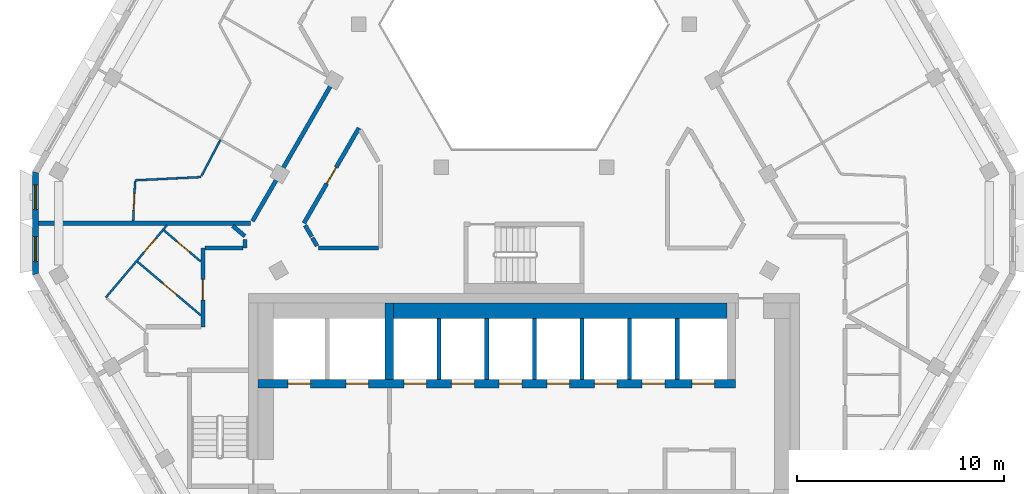
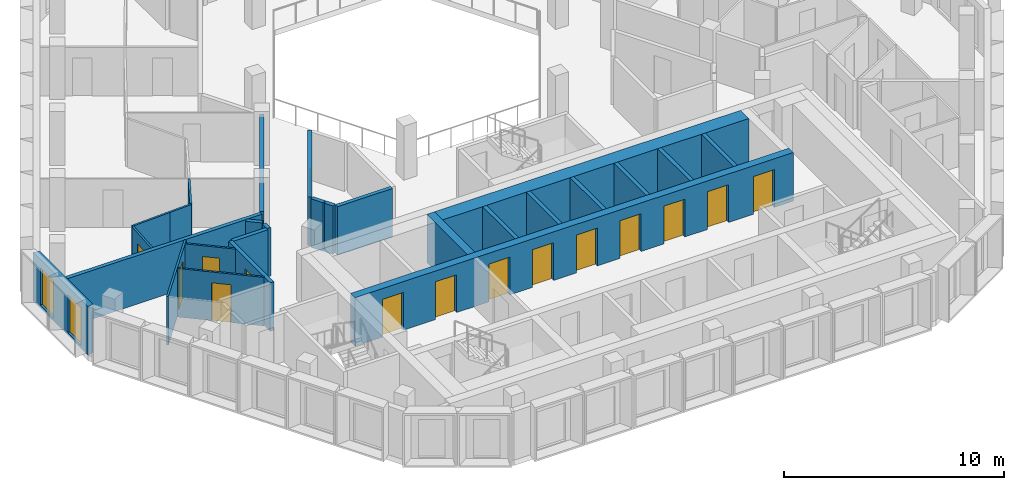
# One storey, part 4 of 16: 27 walls, 15 doors, 2 windows, 17 openings.
"""IFC4 building model written with IfcOpenShell, lengths in metres."""

from ifc_helpers import new_model, si_unit, direction, frame, frame_2d, origin, place, context, subcontext, project, spatial, polyline, rectangle, outline, extrude, material, layer, layer_set, type_object, element, fill, save


model = new_model("IFC4")

# Units and contexts
model_context = context("Model", 3, precision=1e-05, world=origin(), true_north=direction((0.0, 1.0)))
body_context = subcontext(model_context, "Body", "Model", "MODEL_VIEW")
ifc_project = project(units=[si_unit("LENGTHUNIT", "METRE"), si_unit("AREAUNIT", "SQUARE_METRE"), si_unit("VOLUMEUNIT", "CUBIC_METRE"), si_unit("PLANEANGLEUNIT", "RADIAN"), si_unit("MASSUNIT", "GRAM", prefix="KILO")], contexts=[model_context])

# Site, building, storey
site_placement = place(None, origin())
site = spatial("IfcSite", under=ifc_project, at=site_placement, CompositionType="ELEMENT")
building_placement = place(site_placement, origin())
building = spatial("IfcBuilding", under=site, at=building_placement, Name="Beryl Residences", CompositionType="ELEMENT")
storey_placement = place(building_placement, frame((0.0, 0.0, 220.800048828125)))
storey = spatial("IfcBuildingStorey", under=building, at=storey_placement, Name="L68", CompositionType="ELEMENT", Elevation=220.800048828125)

# Wall, openings, windows
ifc_material_1 = material(Name="Composite metal panel with mineral wool insulation")
ifc_layer_1 = layer(ifc_material_1, 0.300048828125)
ifc_layer_set_1 = layer_set([ifc_layer_1], Name="ES1 pale metal composite panel wall 300 mm")
wall_type_1 = type_object("IfcWallType", Name="ES1 pale metal composite panel wall 300 mm", PredefinedType="SOLIDWALL", material=ifc_layer_set_1)
wall_1_placement = place(storey_placement, frame((-23.5791015625, 0.89990234375, 0.0), z_axis=(0.0, 0.0, 1.0), x_axis=(0.0, -1.0, 0.0)))
wall_1 = element("IfcWall", 1, at=wall_1_placement, inside=storey, type_object=wall_type_1, Name="ES1 external wall L68 NW-SW", PredefinedType="SOLIDWALL", context=body_context, shape_type="SweptSolid", body=[
    extrude(outline(polyline([(0.0, -0.14990234375), (5.0, -0.14990234375), (4.919677734375, 0.14990234375), (0.080322265625, 0.14990234375), (0.0, -0.14990234375)])), origin(), (0.0, 0.0, 1.0), 2.699951171875),
])
opening_1_placement = place(wall_1_placement, frame((0.64990234375, 0.0, 0.14990234375)))
opening_1 = element("IfcOpeningElement", 2, at=opening_1_placement, cuts=wall_1, Name="Opening W2", PredefinedType="OPENING", context=body_context, shape_type="SweptSolid", body=[
    extrude(rectangle(XDim=1.199951171875, YDim=2.10009765625, at=frame_2d((0.60009765625, 1.050048828125))), frame((0.0, 0.159912109375, 0.0), z_axis=(0.0, -1.0, 0.0), x_axis=(1.0, 0.0, 0.0)), (0.0, 0.0, 1.0), 0.320068359375),
])
opening_2_placement = place(wall_1_placement, frame((3.14990234375, 0.0, 0.14990234375)))
opening_2 = element("IfcOpeningElement", 3, at=opening_2_placement, cuts=wall_1, Name="Opening W2", PredefinedType="OPENING", context=body_context, shape_type="SweptSolid", body=[
    extrude(rectangle(XDim=1.199951171875, YDim=2.10009765625, at=frame_2d((0.60009765625, 1.050048828125))), frame((0.0, 0.159912109375, 0.0), z_axis=(0.0, -1.0, 0.0), x_axis=(1.0, 0.0, 0.0)), (0.0, 0.0, 1.0), 0.320068359375),
])
ifc_material_2 = material(Name="Aluminium and clear glass", Category="aluminium")
window_type = type_object("IfcWindowType", Name="W2 chamfer window 1200 x 2100 mm", PartitioningType="SINGLE_PANEL", PredefinedType="WINDOW", material=ifc_material_2)
window_1_placement = place(opening_1_placement, origin())
window_1 = element("IfcWindow", 4, at=window_1_placement, inside=storey, type_object=window_type, Name="W2 window L68 NW-SW 1", OverallHeight=2.10009765625, OverallWidth=1.199951171875, PartitioningType="SINGLE_PANEL", PredefinedType="WINDOW", context=body_context, shape_type="SweptSolid", body=[
    extrude(rectangle(XDim=1.199951171875, YDim=2.10009765625, at=frame_2d((0.60009765625, 1.050048828125))), frame((0.0, 0.030029296875, 0.0), z_axis=(0.0, -1.0, 0.0), x_axis=(1.0, 0.0, 0.0)), (0.0, 0.0, 1.0), 0.06005859375),
])
fill(opening_1, window_1)
window_2_placement = place(opening_2_placement, origin())
window_2 = element("IfcWindow", 5, at=window_2_placement, inside=storey, type_object=window_type, Name="W2 window L68 NW-SW 2", OverallHeight=2.10009765625, OverallWidth=1.199951171875, PartitioningType="SINGLE_PANEL", PredefinedType="WINDOW", context=body_context, shape_type="SweptSolid", body=[
    extrude(rectangle(XDim=1.199951171875, YDim=2.10009765625, at=frame_2d((0.60009765625, 1.050048828125))), frame((0.0, 0.030029296875, 0.0), z_axis=(0.0, -1.0, 0.0), x_axis=(1.0, 0.0, 0.0)), (0.0, 0.0, 1.0), 0.06005859375),
])
fill(opening_2, window_2)

# Wall, opening, door
ifc_material_3 = material(Name="Gypsum board partition on steel studs", Category="steel")
ifc_layer_2 = layer(ifc_material_3, 0.10009765625)
ifc_layer_set_2 = layer_set([ifc_layer_2], Name="PT1 partition 100 mm gypsum board on steel studs")
wall_type_2 = type_object("IfcWallType", Name="PT1 partition 100 mm gypsum board on steel studs", PredefinedType="PARTITIONING", material=ifc_layer_set_2)
wall_2_placement = place(storey_placement, frame((-17.3798828125, -1.947021484375, 0.0), z_axis=(0.0, 0.0, 1.0), x_axis=(0.763616683524, -0.645669854217, 0.0)))
wall_2 = element("IfcWall", 6, at=wall_2_placement, inside=storey, type_object=wall_type_2, Name="Wall PT1 L68 017", PredefinedType="PARTITIONING", context=body_context, shape_type="SweptSolid", body=[
    extrude(rectangle(XDim=2.330810546875, YDim=0.10009765625, at=frame_2d((1.16552734375, 0.0))), origin(), (0.0, 0.0, 1.0), 2.699951171875),
])
opening_3_placement = place(wall_2_placement, frame((0.805908203125, 0.0, 0.0)))
opening_3 = element("IfcOpeningElement", 7, at=opening_3_placement, cuts=wall_2, Name="Opening D1934", PredefinedType="OPENING", context=body_context, shape_type="SweptSolid", body=[
    extrude(rectangle(XDim=0.800048828125, YDim=2.10009765625, at=frame_2d((0.39990234375, 1.050048828125))), frame((0.0, 0.06005859375, 0.0), z_axis=(0.0, -1.0, 0.0), x_axis=(1.0, 0.0, 0.0)), (0.0, 0.0, 1.0), 0.1201171875),
])
ifc_material_4 = material(Name="Timber door leaf", Category="wood")
door_type_1 = type_object("IfcDoorType", Name="D3 bathroom door 800 x 2100 mm", OperationType="SINGLE_SWING_LEFT", PredefinedType="DOOR", material=ifc_material_4)
door_1_placement = place(opening_3_placement, origin())
door_1 = element("IfcDoor", 8, at=door_1_placement, inside=storey, type_object=door_type_1, Name="Door D1934 L68 001", OperationType="SINGLE_SWING_RIGHT", OverallHeight=2.10009765625, OverallWidth=0.800048828125, PredefinedType="DOOR", context=body_context, shape_type="SweptSolid", body=[
    extrude(rectangle(XDim=0.800048828125, YDim=2.10009765625, at=frame_2d((0.39990234375, 1.050048828125))), frame((0.0, 0.02490234375, 0.0), z_axis=(0.0, -1.0, 0.0), x_axis=(1.0, 0.0, 0.0)), (0.0, 0.0, 1.0), 0.050048828125),
])
fill(opening_3, door_1)

wall_3_placement = place(storey_placement, frame((-18.658935546875, -3.458984375, 0.0), z_axis=(0.0, 0.0, 1.0), x_axis=(0.763550385572, -0.64574825489, 0.0)))
wall_3 = element("IfcWall", 9, at=wall_3_placement, inside=storey, type_object=wall_type_2, Name="Wall PT1 L68 018", PredefinedType="PARTITIONING", context=body_context, shape_type="SweptSolid", body=[
    extrude(rectangle(XDim=4.006103515625, YDim=0.10009765625, at=frame_2d((2.0029296875, 0.0))), origin(), (0.0, 0.0, 1.0), 2.699951171875),
])
opening_4_placement = place(wall_3_placement, frame((1.593017578125, 0.0, 0.0)))
opening_4 = element("IfcOpeningElement", 10, at=opening_4_placement, cuts=wall_3, Name="Opening D1933", PredefinedType="OPENING", context=body_context, shape_type="SweptSolid", body=[
    extrude(rectangle(XDim=0.89990234375, YDim=2.10009765625, at=frame_2d((0.449951171875, 1.050048828125))), frame((0.0, 0.06005859375, 0.0), z_axis=(0.0, -1.0, 0.0), x_axis=(1.0, 0.0, 0.0)), (0.0, 0.0, 1.0), 0.1201171875),
])
ifc_material_5 = material(Name="Timber door leaf", Category="wood")
door_type_2 = type_object("IfcDoorType", Name="D2 room door 900 x 2100 mm", OperationType="SINGLE_SWING_LEFT", PredefinedType="DOOR", material=ifc_material_5)
door_2_placement = place(opening_4_placement, origin())
door_2 = element("IfcDoor", 11, at=door_2_placement, inside=storey, type_object=door_type_2, Name="Door D1933 L68 001", OperationType="SINGLE_SWING_LEFT", OverallHeight=2.10009765625, OverallWidth=0.89990234375, PredefinedType="DOOR", context=body_context, shape_type="SweptSolid", body=[
    extrude(rectangle(XDim=0.89990234375, YDim=2.10009765625, at=frame_2d((0.449951171875, 1.050048828125))), frame((0.0, 0.02490234375, 0.0), z_axis=(0.0, -1.0, 0.0), x_axis=(1.0, 0.0, 0.0)), (0.0, 0.0, 1.0), 0.050048828125),
])
fill(opening_4, door_2)

wall_4_placement = place(storey_placement, frame((-20.18798828125, -5.19091796875, 0.0), z_axis=(0.0, 0.0, 1.0), x_axis=(0.645563873658, 0.763706281909, 0.0)))
wall_4 = element("IfcWall", 12, at=wall_4_placement, inside=storey, type_object=wall_type_2, Name="Wall PT1 L68 023", PredefinedType="PARTITIONING", context=body_context, shape_type="SweptSolid", body=[
    extrude(rectangle(XDim=4.571044921875, YDim=0.10009765625, at=frame_2d((2.28564453125, 0.0))), origin(), (0.0, 0.0, 1.0), 2.699951171875),
])
opening_5_placement = place(wall_4_placement, frame((2.85009765625, 0.0, 0.0)))
opening_5 = element("IfcOpeningElement", 13, at=opening_5_placement, cuts=wall_4, Name="Opening D1935", PredefinedType="OPENING", context=body_context, shape_type="SweptSolid", body=[
    extrude(rectangle(XDim=0.89990234375, YDim=2.10009765625, at=frame_2d((0.449951171875, 1.050048828125))), frame((0.0, 0.06005859375, 0.0), z_axis=(0.0, -1.0, 0.0), x_axis=(1.0, 0.0, 0.0)), (0.0, 0.0, 1.0), 0.1201171875),
])
door_3_placement = place(opening_5_placement, origin())
door_3 = element("IfcDoor", 14, at=door_3_placement, inside=storey, type_object=door_type_2, Name="Door D1935 L68 001", OperationType="SINGLE_SWING_LEFT", OverallHeight=2.10009765625, OverallWidth=0.89990234375, PredefinedType="DOOR", context=body_context, shape_type="SweptSolid", body=[
    extrude(rectangle(XDim=0.89990234375, YDim=2.10009765625, at=frame_2d((0.449951171875, 1.050048828125))), frame((0.0, 0.02490234375, 0.0), z_axis=(0.0, -1.0, 0.0), x_axis=(1.0, 0.0, 0.0)), (0.0, 0.0, 1.0), 0.050048828125),
])
fill(opening_5, door_3)

# Wall
wall_5_placement = place(storey_placement, frame((-15.572021484375, 0.676025390625, 0.0), z_axis=(0.0, 0.0, 1.0), x_axis=(0.465298498919, 0.885153832339, 0.0)))
element("IfcWall", 15, at=wall_5_placement, inside=storey, type_object=wall_type_2, Name="Wall PT1 L68 025", PredefinedType="PARTITIONING", context=body_context, shape_type="SweptSolid", body=[
    extrude(rectangle(XDim=1.97705078125, YDim=0.10009765625, at=frame_2d((0.988525390625, 0.0))), origin(), (0.0, 0.0, 1.0), 2.699951171875),
])

# Wall, opening, door
wall_6_placement = place(storey_placement, frame((-18.865966796875, -1.5, 0.0), z_axis=(0.0, 0.0, 1.0), x_axis=(0.048923533446, 0.998802526967, 0.0)))
wall_6 = element("IfcWall", 16, at=wall_6_placement, inside=storey, type_object=wall_type_2, Name="Wall PT1 L68 031", PredefinedType="PARTITIONING", context=body_context, shape_type="SweptSolid", body=[
    extrude(rectangle(XDim=1.921142578125, YDim=0.10009765625, at=frame_2d((0.96044921875, 0.0))), origin(), (0.0, 0.0, 1.0), 2.699951171875),
])
opening_6_placement = place(wall_6_placement, frame((0.535888671875, 0.0, 0.0)))
opening_6 = element("IfcOpeningElement", 17, at=opening_6_placement, cuts=wall_6, Name="Opening D1931", PredefinedType="OPENING", context=body_context, shape_type="SweptSolid", body=[
    extrude(rectangle(XDim=0.800048828125, YDim=2.10009765625, at=frame_2d((0.39990234375, 1.050048828125))), frame((0.0, 0.06005859375, 0.0), z_axis=(0.0, -1.0, 0.0), x_axis=(1.0, 0.0, 0.0)), (0.0, 0.0, 1.0), 0.1201171875),
])
door_4_placement = place(opening_6_placement, origin())
door_4 = element("IfcDoor", 18, at=door_4_placement, inside=storey, type_object=door_type_1, Name="Door D1931 L68 001", OperationType="SINGLE_SWING_LEFT", OverallHeight=2.10009765625, OverallWidth=0.800048828125, PredefinedType="DOOR", context=body_context, shape_type="SweptSolid", body=[
    extrude(rectangle(XDim=0.800048828125, YDim=2.10009765625, at=frame_2d((0.39990234375, 1.050048828125))), frame((0.0, 0.02490234375, 0.0), z_axis=(0.0, -1.0, 0.0), x_axis=(1.0, 0.0, 0.0)), (0.0, 0.0, 1.0), 0.050048828125),
])
fill(opening_6, door_4)

# Walls
wall_7_placement = place(storey_placement, frame((-18.76904296875, 0.468994140625, 0.0), z_axis=(0.0, 0.0, 1.0), x_axis=(0.998780383332, 0.049373534108, 0.0)))
element("IfcWall", 19, at=wall_7_placement, inside=storey, type_object=wall_type_2, Name="Wall PT1 L68 038", PredefinedType="PARTITIONING", context=body_context, shape_type="SweptSolid", body=[
    extrude(rectangle(XDim=2.007568359375, YDim=0.10009765625, at=frame_2d((1.00390625, 0.0))), origin(), (0.0, 0.0, 1.0), 2.699951171875),
])
wall_8_placement = place(storey_placement, frame((-16.763916015625, 0.568115234375, 0.0), z_axis=(0.0, 0.0, 1.0), x_axis=(0.998809616198, 0.048778587419, 0.0)))
element("IfcWall", 20, at=wall_8_placement, inside=storey, type_object=wall_type_2, Name="Wall PT1 L68 039", PredefinedType="PARTITIONING", context=body_context, shape_type="SweptSolid", body=[
    extrude(rectangle(XDim=1.166259765625, YDim=0.10009765625, at=frame_2d((0.5830078125, 0.0))), origin(), (0.0, 0.0, 1.0), 2.699951171875),
])
ifc_material_6 = material(Name="Acoustic double stud gypsum board wall")
ifc_layer_3 = layer(ifc_material_6, 0.199951171875)
ifc_layer_set_3 = layer_set([ifc_layer_3], Name="PT3 party wall 200 mm acoustic double stud")
wall_type_3 = type_object("IfcWallType", Name="PT3 party wall 200 mm acoustic double stud", PredefinedType="PARTITIONING", material=ifc_layer_set_3)
wall_9_placement = place(storey_placement, frame((-14.05908203125, -1.72998046875, 0.0), z_axis=(0.0, 0.0, 1.0), x_axis=(0.763289607824, -0.64605647941, 0.0)))
element("IfcWall", 21, at=wall_9_placement, inside=storey, type_object=wall_type_3, Name="Wall PT3 L68 007", PredefinedType="PARTITIONING", context=body_context, shape_type="SweptSolid", body=[
    extrude(rectangle(XDim=0.766357421875, YDim=0.199951171875, at=frame_2d((0.38330078125, 0.0))), origin(), (0.0, 0.0, 1.0), 2.699951171875),
])
wall_10_placement = place(storey_placement, frame((-23.428955078125, -1.60107421875, 0.0), z_axis=(0.0, 0.0, 1.0), x_axis=(0.999999995449, 9.5406191e-05, 0.0)))
element("IfcWall", 22, at=wall_10_placement, inside=storey, type_object=wall_type_3, Name="Wall PT3 L68 008", PredefinedType="PARTITIONING", context=body_context, shape_type="SweptSolid", body=[
    extrude(rectangle(XDim=10.23583984375, YDim=0.199951171875, at=frame_2d((5.117919921875, 0.0))), origin(), (0.0, 0.0, 1.0), 2.699951171875),
])
ifc_material_7 = material(Name="Double stud gypsum board wall")
ifc_layer_4 = layer(ifc_material_7, 0.199951171875)
ifc_layer_set_4 = layer_set([ifc_layer_4], Name="PT4 corridor wall 200 mm double stud")
wall_type_4 = type_object("IfcWallType", Name="PT4 corridor wall 200 mm double stud", PredefinedType="PARTITIONING", material=ifc_layer_set_4)
wall_11_placement = place(storey_placement, frame((-10.56494140625, -1.700927734375, 0.0), z_axis=(0.0, 0.0, 1.0), x_axis=(0.499512735409, -0.866306543416, 0.0)))
element("IfcWall", 23, at=wall_11_placement, inside=storey, type_object=wall_type_4, Name="Wall PT4 L68 003", PredefinedType="PARTITIONING", context=body_context, shape_type="SweptSolid", body=[
    extrude(rectangle(XDim=0.638427734375, YDim=0.199951171875, at=frame_2d((0.3193359375, 0.0))), origin(), (0.0, 0.0, 1.0), 2.699951171875),
])
wall_12_placement = place(storey_placement, frame((-10.217041015625, -2.303955078125, 0.0), z_axis=(0.0, 0.0, 1.0), x_axis=(0.499013081552, -0.866594452117, 0.0)))
element("IfcWall", 24, at=wall_12_placement, inside=storey, type_object=wall_type_4, Name="Wall PT4 L68 004", PredefinedType="PARTITIONING", context=body_context, shape_type="SweptSolid", body=[
    extrude(rectangle(XDim=0.45703125, YDim=0.199951171875, at=frame_2d((0.228515625, 0.0))), origin(), (0.0, 0.0, 1.0), 2.699951171875),
])
wall_13_placement = place(storey_placement, frame((-15.39892578125, -2.800048828125, 0.0), z_axis=(0.0, 0.0, 1.0), x_axis=(1.0, 0.0, 0.0)))
element("IfcWall", 25, at=wall_13_placement, inside=storey, type_object=wall_type_4, Name="Wall PT4 L68 014", PredefinedType="PARTITIONING", context=body_context, shape_type="SweptSolid", body=[
    extrude(rectangle(XDim=1.824951171875, YDim=0.199951171875, at=frame_2d((0.91259765625, 0.0))), origin(), (0.0, 0.0, 1.0), 2.699951171875),
])
wall_14_placement = place(storey_placement, frame((-9.929931640625, -2.800048828125, 0.0), z_axis=(0.0, 0.0, 1.0), x_axis=(1.0, 0.0, 0.0)))
element("IfcWall", 26, at=wall_14_placement, inside=storey, type_object=wall_type_4, Name="Wall PT4 L68 015", PredefinedType="PARTITIONING", context=body_context, shape_type="SweptSolid", body=[
    extrude(rectangle(XDim=2.90087890625, YDim=0.199951171875, at=frame_2d((1.450439453125, 0.0))), origin(), (0.0, 0.0, 1.0), 2.699951171875),
])

# Wall, opening, door
wall_15_placement = place(storey_placement, frame((-10.623046875, -1.60009765625, 0.0), z_axis=(0.0, 0.0, 1.0), x_axis=(0.500040865889, 0.866001808567, 0.0)))
wall_15 = element("IfcWall", 27, at=wall_15_placement, inside=storey, type_object=wall_type_4, Name="Wall PT4 L68 023", PredefinedType="PARTITIONING", context=body_context, shape_type="SweptSolid", body=[
    extrude(rectangle(XDim=5.3095703125, YDim=0.199951171875, at=frame_2d((2.65478515625, 0.0))), origin(), (0.0, 0.0, 1.0), 2.699951171875),
])
opening_7_placement = place(wall_15_placement, frame((2.205078125, 0.0, 0.0)))
opening_7 = element("IfcOpeningElement", 28, at=opening_7_placement, cuts=wall_15, Name="Opening D1937", PredefinedType="OPENING", context=body_context, shape_type="SweptSolid", body=[
    extrude(rectangle(XDim=0.89990234375, YDim=2.10009765625, at=frame_2d((0.449951171875, 1.050048828125))), frame((0.0, 0.10986328125, 0.0), z_axis=(0.0, -1.0, 0.0), x_axis=(1.0, 0.0, 0.0)), (0.0, 0.0, 1.0), 0.219970703125),
])
door_5_placement = place(opening_7_placement, origin())
door_5 = element("IfcDoor", 29, at=door_5_placement, inside=storey, type_object=door_type_2, Name="Door D1937 L68 001", OperationType="SINGLE_SWING_LEFT", OverallHeight=2.10009765625, OverallWidth=0.89990234375, PredefinedType="DOOR", context=body_context, shape_type="SweptSolid", body=[
    extrude(rectangle(XDim=0.89990234375, YDim=2.10009765625, at=frame_2d((0.449951171875, 1.050048828125))), frame((0.0, 0.02490234375, 0.0), z_axis=(0.0, -1.0, 0.0), x_axis=(1.0, 0.0, 0.0)), (0.0, 0.0, 1.0), 0.050048828125),
])
fill(opening_7, door_5)

# Walls
wall_16_placement = place(storey_placement, frame((-13.10595703125, -1.5, 0.0), z_axis=(0.0, 0.0, 1.0), x_axis=(0.500025705601, 0.86601056214, 0.0)))
element("IfcWall", 30, at=wall_16_placement, inside=storey, type_object=wall_type_4, Name="Wall PT4 L68 024", PredefinedType="PARTITIONING", context=body_context, shape_type="SweptSolid", body=[
    extrude(rectangle(XDim=7.7353515625, YDim=0.199951171875, at=frame_2d((3.86767578125, 0.0))), origin(), (0.0, 0.0, 1.0), 2.699951171875),
])
wall_17_placement = place(storey_placement, frame((-13.472900390625, -2.799072265625, 0.0), z_axis=(0.0, 0.0, 1.0), x_axis=(0.0, 1.0, 0.0)))
element("IfcWall", 31, at=wall_17_placement, inside=storey, type_object=wall_type_4, Name="Wall PT4 L68 029", PredefinedType="PARTITIONING", context=body_context, shape_type="SweptSolid", body=[
    extrude(rectangle(XDim=0.412109375, YDim=0.199951171875, at=frame_2d((0.2060546875, 0.0))), origin(), (0.0, 0.0, 1.0), 2.699951171875),
])

# Wall, opening, door
wall_18_placement = place(storey_placement, frame((-15.5, -6.59912109375, 0.0), z_axis=(0.0, 0.0, 1.0), x_axis=(0.0, 1.0, 0.0)))
wall_18 = element("IfcWall", 32, at=wall_18_placement, inside=storey, type_object=wall_type_4, Name="Wall PT4 L68 030", PredefinedType="PARTITIONING", context=body_context, shape_type="SweptSolid", body=[
    extrude(rectangle(XDim=3.798095703125, YDim=0.199951171875, at=frame_2d((1.89892578125, 0.0))), origin(), (0.0, 0.0, 1.0), 2.699951171875),
])
opening_8_placement = place(wall_18_placement, frame((1.291015625, 0.0, 0.0)))
opening_8 = element("IfcOpeningElement", 33, at=opening_8_placement, cuts=wall_18, Name="Opening D1932", PredefinedType="OPENING", context=body_context, shape_type="SweptSolid", body=[
    extrude(rectangle(XDim=1.0, YDim=2.10009765625, at=frame_2d((0.5, 1.050048828125))), frame((0.0, 0.10986328125, 0.0), z_axis=(0.0, -1.0, 0.0), x_axis=(1.0, 0.0, 0.0)), (0.0, 0.0, 1.0), 0.219970703125),
])
ifc_material_8 = material(Name="Timber door leaf", Category="wood")
door_type_3 = type_object("IfcDoorType", Name="D1 flat entrance door 1000 x 2100 mm", OperationType="SINGLE_SWING_LEFT", PredefinedType="DOOR", material=ifc_material_8)
door_6_placement = place(opening_8_placement, origin())
door_6 = element("IfcDoor", 34, at=door_6_placement, inside=storey, type_object=door_type_3, Name="Door D1932 L68 001", OperationType="SINGLE_SWING_RIGHT", OverallHeight=2.10009765625, OverallWidth=1.0, PredefinedType="DOOR", context=body_context, shape_type="SweptSolid", body=[
    extrude(rectangle(XDim=1.0, YDim=2.10009765625, at=frame_2d((0.5, 1.050048828125))), frame((0.0, 0.02490234375, 0.0), z_axis=(0.0, -1.0, 0.0), x_axis=(1.0, 0.0, 0.0)), (0.0, 0.0, 1.0), 0.050048828125),
])
fill(opening_8, door_6)

# Walls
ifc_material_9 = material(Name="Concrete C40/50", Category="concrete")
ifc_layer_5 = layer(ifc_material_9, 0.199951171875)
ifc_layer_set_5 = layer_set([ifc_layer_5], Name="PT6 lift shaft wall 200 mm reinforced concrete C40/50")
wall_type_5 = type_object("IfcWallType", Name="PT6 lift shaft wall 200 mm reinforced concrete C40/50", PredefinedType="SOLIDWALL", material=ifc_layer_set_5)
for number, where, z_axis, x_axis, name in (
    (35, (-4.10009765625, -9.14990234375, 0.0), (0.0, 0.0, 1.0), (0.0, 1.0, 0.0), "Lift shaft wall 15"),
    (36, (-1.800048828125, -9.14990234375, 0.0), (0.0, 0.0, 1.0), (0.0, 1.0, 0.0), "Lift shaft wall 18"),
    (37, (0.5, -9.14990234375, 0.0), (0.0, 0.0, 1.0), (0.0, 1.0, 0.0), "Lift shaft wall 20"),
    (38, (2.800048828125, -9.14990234375, 0.0), (0.0, 0.0, 1.0), (0.0, 1.0, 0.0), "Lift shaft wall 22"),
    (39, (5.10009765625, -9.14990234375, 0.0), (0.0, 0.0, 1.0), (0.0, 1.0, 0.0), "Lift shaft wall 23"),
    (40, (7.39990234375, -9.14990234375, 0.0), (0.0, 0.0, 1.0), (0.0, 1.0, 0.0), "Lift shaft wall 27"),
):
    element("IfcWall", number, at=place(storey_placement, frame(where, z_axis=z_axis, x_axis=x_axis)), inside=storey, type_object=wall_type_5, Name=name, PredefinedType="SOLIDWALL", context=body_context, shape_type="SweptSolid", body=[
        extrude(rectangle(XDim=2.949951171875, YDim=0.199951171875, at=frame_2d((1.47509765625, 0.0))), origin(), (0.0, 0.0, 1.0), 2.699951171875),
    ])
ifc_material_10 = material(Name="Concrete C40/50", Category="concrete")
ifc_layer_6 = layer(ifc_material_10, 0.75)
ifc_layer_set_6 = layer_set([ifc_layer_6], Name="PT6-750 lift shaft wall 750 mm")
wall_type_6 = type_object("IfcWallType", Name="PT6-750 lift shaft wall 750 mm", PredefinedType="SOLIDWALL", material=ifc_layer_set_6)
wall_19_placement = place(storey_placement, frame((-6.300048828125, -5.824951171875, 0.0), z_axis=(0.0, 0.0, 1.0), x_axis=(1.0, 0.0, 0.0)))
element("IfcWall", 41, at=wall_19_placement, inside=storey, type_object=wall_type_6, Name="Lift shaft wall 14", PredefinedType="SOLIDWALL", context=body_context, shape_type="SweptSolid", body=[
    extrude(rectangle(XDim=16.10009765625, YDim=0.75, at=frame_2d((8.050048828125, 0.0))), origin(), (0.0, 0.0, 1.0), 2.699951171875),
])

# Wall, openings, doors
ifc_material_11 = material(Name="Concrete C50/60", Category="concrete")
ifc_layer_7 = layer(ifc_material_11, 0.39990234375)
ifc_layer_set_7 = layer_set([ifc_layer_7], Name="SW10 core internal wall 400 mm C50/60")
wall_type_7 = type_object("IfcWallType", Name="SW10 core internal wall 400 mm C50/60", PredefinedType="SHEAR", material=ifc_layer_set_7)
wall_20_placement = place(storey_placement, frame((-12.85009765625, -9.35009765625, 0.0), z_axis=(0.0, 0.0, 1.0), x_axis=(1.0, 0.0, 0.0)))
wall_20 = element("IfcWall", 42, at=wall_20_placement, inside=storey, type_object=wall_type_7, Name="Core wall SP2 L68", PredefinedType="SHEAR", context=body_context, shape_type="SweptSolid", body=[
    extrude(rectangle(XDim=23.050048828125, YDim=0.39990234375, at=frame_2d((11.52490234375, 0.0))), origin(), (0.0, 0.0, 1.0), 2.699951171875),
])
opening_9_placement = place(wall_20_placement, frame((1.449951171875, 0.0, 0.0)))
opening_9 = element("IfcOpeningElement", 43, at=opening_9_placement, cuts=wall_20, Name="Opening LD-FF1", PredefinedType="OPENING", context=body_context, shape_type="SweptSolid", body=[
    extrude(rectangle(XDim=1.10009765625, YDim=2.10009765625, at=frame_2d((0.550048828125, 1.050048828125))), frame((0.0, 0.2099609375, 0.0), z_axis=(0.0, -1.0, 0.0), x_axis=(1.0, 0.0, 0.0)), (0.0, 0.0, 1.0), 0.419921875),
])
opening_10_placement = place(wall_20_placement, frame((4.25, 0.0, 0.0)))
opening_10 = element("IfcOpeningElement", 44, at=opening_10_placement, cuts=wall_20, Name="Opening LD-FF2", PredefinedType="OPENING", context=body_context, shape_type="SweptSolid", body=[
    extrude(rectangle(XDim=1.10009765625, YDim=2.10009765625, at=frame_2d((0.550048828125, 1.050048828125))), frame((0.0, 0.2099609375, 0.0), z_axis=(0.0, -1.0, 0.0), x_axis=(1.0, 0.0, 0.0)), (0.0, 0.0, 1.0), 0.419921875),
])
opening_11_placement = place(wall_20_placement, frame((7.050048828125, 0.0, 0.0)))
opening_11 = element("IfcOpeningElement", 45, at=opening_11_placement, cuts=wall_20, Name="Opening LD-HR1", PredefinedType="OPENING", context=body_context, shape_type="SweptSolid", body=[
    extrude(rectangle(XDim=1.10009765625, YDim=2.10009765625, at=frame_2d((0.550048828125, 1.050048828125))), frame((0.0, 0.2099609375, 0.0), z_axis=(0.0, -1.0, 0.0), x_axis=(1.0, 0.0, 0.0)), (0.0, 0.0, 1.0), 0.419921875),
])
opening_12_placement = place(wall_20_placement, frame((9.35009765625, 0.0, 0.0)))
opening_12 = element("IfcOpeningElement", 46, at=opening_12_placement, cuts=wall_20, Name="Opening LD-HR2", PredefinedType="OPENING", context=body_context, shape_type="SweptSolid", body=[
    extrude(rectangle(XDim=1.10009765625, YDim=2.10009765625, at=frame_2d((0.550048828125, 1.050048828125))), frame((0.0, 0.2099609375, 0.0), z_axis=(0.0, -1.0, 0.0), x_axis=(1.0, 0.0, 0.0)), (0.0, 0.0, 1.0), 0.419921875),
])
opening_13_placement = place(wall_20_placement, frame((11.64990234375, 0.0, 0.0)))
opening_13 = element("IfcOpeningElement", 47, at=opening_13_placement, cuts=wall_20, Name="Opening LD-HR3", PredefinedType="OPENING", context=body_context, shape_type="SweptSolid", body=[
    extrude(rectangle(XDim=1.10009765625, YDim=2.10009765625, at=frame_2d((0.550048828125, 1.050048828125))), frame((0.0, 0.2099609375, 0.0), z_axis=(0.0, -1.0, 0.0), x_axis=(1.0, 0.0, 0.0)), (0.0, 0.0, 1.0), 0.419921875),
])
opening_14_placement = place(wall_20_placement, frame((13.949951171875, 0.0, 0.0)))
opening_14 = element("IfcOpeningElement", 48, at=opening_14_placement, cuts=wall_20, Name="Opening LD-HR4", PredefinedType="OPENING", context=body_context, shape_type="SweptSolid", body=[
    extrude(rectangle(XDim=1.10009765625, YDim=2.10009765625, at=frame_2d((0.550048828125, 1.050048828125))), frame((0.0, 0.2099609375, 0.0), z_axis=(0.0, -1.0, 0.0), x_axis=(1.0, 0.0, 0.0)), (0.0, 0.0, 1.0), 0.419921875),
])
opening_15_placement = place(wall_20_placement, frame((16.25, 0.0, 0.0)))
opening_15 = element("IfcOpeningElement", 49, at=opening_15_placement, cuts=wall_20, Name="Opening LD-HR5", PredefinedType="OPENING", context=body_context, shape_type="SweptSolid", body=[
    extrude(rectangle(XDim=1.10009765625, YDim=2.10009765625, at=frame_2d((0.550048828125, 1.050048828125))), frame((0.0, 0.2099609375, 0.0), z_axis=(0.0, -1.0, 0.0), x_axis=(1.0, 0.0, 0.0)), (0.0, 0.0, 1.0), 0.419921875),
])
opening_16_placement = place(wall_20_placement, frame((18.550048828125, 0.0, 0.0)))
opening_16 = element("IfcOpeningElement", 50, at=opening_16_placement, cuts=wall_20, Name="Opening LD-HR6", PredefinedType="OPENING", context=body_context, shape_type="SweptSolid", body=[
    extrude(rectangle(XDim=1.10009765625, YDim=2.10009765625, at=frame_2d((0.550048828125, 1.050048828125))), frame((0.0, 0.2099609375, 0.0), z_axis=(0.0, -1.0, 0.0), x_axis=(1.0, 0.0, 0.0)), (0.0, 0.0, 1.0), 0.419921875),
])
opening_17_placement = place(wall_20_placement, frame((20.949951171875, 0.0, 0.0)))
opening_17 = element("IfcOpeningElement", 51, at=opening_17_placement, cuts=wall_20, Name="Opening LD-SL1", PredefinedType="OPENING", context=body_context, shape_type="SweptSolid", body=[
    extrude(rectangle(XDim=1.10009765625, YDim=2.10009765625, at=frame_2d((0.550048828125, 1.050048828125))), frame((0.0, 0.2099609375, 0.0), z_axis=(0.0, -1.0, 0.0), x_axis=(1.0, 0.0, 0.0)), (0.0, 0.0, 1.0), 0.419921875),
])
ifc_material_12 = material(Name="Stainless steel sliding door", Category="steel")
door_type_4 = type_object("IfcDoorType", Name="LD1 lift landing door 1100 x 2100 mm", OperationType="DOUBLE_DOOR_SLIDING", PredefinedType="DOOR", material=ifc_material_12)
door_7_placement = place(opening_9_placement, origin())
door_7 = element("IfcDoor", 52, at=door_7_placement, inside=storey, type_object=door_type_4, Name="Lift landing door FF1", OperationType="DOUBLE_DOOR_SLIDING", OverallHeight=2.10009765625, OverallWidth=1.10009765625, PredefinedType="DOOR", context=body_context, shape_type="SweptSolid", body=[
    extrude(rectangle(XDim=1.10009765625, YDim=2.10009765625, at=frame_2d((0.550048828125, 1.050048828125))), frame((0.0, 0.02490234375, 0.0), z_axis=(0.0, -1.0, 0.0), x_axis=(1.0, 0.0, 0.0)), (0.0, 0.0, 1.0), 0.050048828125),
])
fill(opening_9, door_7)
door_8_placement = place(opening_10_placement, origin())
door_8 = element("IfcDoor", 53, at=door_8_placement, inside=storey, type_object=door_type_4, Name="Lift landing door FF2", OperationType="DOUBLE_DOOR_SLIDING", OverallHeight=2.10009765625, OverallWidth=1.10009765625, PredefinedType="DOOR", context=body_context, shape_type="SweptSolid", body=[
    extrude(rectangle(XDim=1.10009765625, YDim=2.10009765625, at=frame_2d((0.550048828125, 1.050048828125))), frame((0.0, 0.02490234375, 0.0), z_axis=(0.0, -1.0, 0.0), x_axis=(1.0, 0.0, 0.0)), (0.0, 0.0, 1.0), 0.050048828125),
])
fill(opening_10, door_8)
door_9_placement = place(opening_11_placement, origin())
door_9 = element("IfcDoor", 54, at=door_9_placement, inside=storey, type_object=door_type_4, Name="Lift landing door HR1", OperationType="DOUBLE_DOOR_SLIDING", OverallHeight=2.10009765625, OverallWidth=1.10009765625, PredefinedType="DOOR", context=body_context, shape_type="SweptSolid", body=[
    extrude(rectangle(XDim=1.10009765625, YDim=2.10009765625, at=frame_2d((0.550048828125, 1.050048828125))), frame((0.0, 0.02490234375, 0.0), z_axis=(0.0, -1.0, 0.0), x_axis=(1.0, 0.0, 0.0)), (0.0, 0.0, 1.0), 0.050048828125),
])
fill(opening_11, door_9)
door_10_placement = place(opening_12_placement, origin())
door_10 = element("IfcDoor", 55, at=door_10_placement, inside=storey, type_object=door_type_4, Name="Lift landing door HR2", OperationType="DOUBLE_DOOR_SLIDING", OverallHeight=2.10009765625, OverallWidth=1.10009765625, PredefinedType="DOOR", context=body_context, shape_type="SweptSolid", body=[
    extrude(rectangle(XDim=1.10009765625, YDim=2.10009765625, at=frame_2d((0.550048828125, 1.050048828125))), frame((0.0, 0.02490234375, 0.0), z_axis=(0.0, -1.0, 0.0), x_axis=(1.0, 0.0, 0.0)), (0.0, 0.0, 1.0), 0.050048828125),
])
fill(opening_12, door_10)
door_11_placement = place(opening_13_placement, origin())
door_11 = element("IfcDoor", 56, at=door_11_placement, inside=storey, type_object=door_type_4, Name="Lift landing door HR3", OperationType="DOUBLE_DOOR_SLIDING", OverallHeight=2.10009765625, OverallWidth=1.10009765625, PredefinedType="DOOR", context=body_context, shape_type="SweptSolid", body=[
    extrude(rectangle(XDim=1.10009765625, YDim=2.10009765625, at=frame_2d((0.550048828125, 1.050048828125))), frame((0.0, 0.02490234375, 0.0), z_axis=(0.0, -1.0, 0.0), x_axis=(1.0, 0.0, 0.0)), (0.0, 0.0, 1.0), 0.050048828125),
])
fill(opening_13, door_11)
door_12_placement = place(opening_14_placement, origin())
door_12 = element("IfcDoor", 57, at=door_12_placement, inside=storey, type_object=door_type_4, Name="Lift landing door HR4", OperationType="DOUBLE_DOOR_SLIDING", OverallHeight=2.10009765625, OverallWidth=1.10009765625, PredefinedType="DOOR", context=body_context, shape_type="SweptSolid", body=[
    extrude(rectangle(XDim=1.10009765625, YDim=2.10009765625, at=frame_2d((0.550048828125, 1.050048828125))), frame((0.0, 0.02490234375, 0.0), z_axis=(0.0, -1.0, 0.0), x_axis=(1.0, 0.0, 0.0)), (0.0, 0.0, 1.0), 0.050048828125),
])
fill(opening_14, door_12)
door_13_placement = place(opening_15_placement, origin())
door_13 = element("IfcDoor", 58, at=door_13_placement, inside=storey, type_object=door_type_4, Name="Lift landing door HR5", OperationType="DOUBLE_DOOR_SLIDING", OverallHeight=2.10009765625, OverallWidth=1.10009765625, PredefinedType="DOOR", context=body_context, shape_type="SweptSolid", body=[
    extrude(rectangle(XDim=1.10009765625, YDim=2.10009765625, at=frame_2d((0.550048828125, 1.050048828125))), frame((0.0, 0.02490234375, 0.0), z_axis=(0.0, -1.0, 0.0), x_axis=(1.0, 0.0, 0.0)), (0.0, 0.0, 1.0), 0.050048828125),
])
fill(opening_15, door_13)
door_14_placement = place(opening_16_placement, origin())
door_14 = element("IfcDoor", 59, at=door_14_placement, inside=storey, type_object=door_type_4, Name="Lift landing door HR6", OperationType="DOUBLE_DOOR_SLIDING", OverallHeight=2.10009765625, OverallWidth=1.10009765625, PredefinedType="DOOR", context=body_context, shape_type="SweptSolid", body=[
    extrude(rectangle(XDim=1.10009765625, YDim=2.10009765625, at=frame_2d((0.550048828125, 1.050048828125))), frame((0.0, 0.02490234375, 0.0), z_axis=(0.0, -1.0, 0.0), x_axis=(1.0, 0.0, 0.0)), (0.0, 0.0, 1.0), 0.050048828125),
])
fill(opening_16, door_14)
door_15_placement = place(opening_17_placement, origin())
door_15 = element("IfcDoor", 60, at=door_15_placement, inside=storey, type_object=door_type_4, Name="Lift landing door SL1", OperationType="DOUBLE_DOOR_SLIDING", OverallHeight=2.10009765625, OverallWidth=1.10009765625, PredefinedType="DOOR", context=body_context, shape_type="SweptSolid", body=[
    extrude(rectangle(XDim=1.10009765625, YDim=2.10009765625, at=frame_2d((0.550048828125, 1.050048828125))), frame((0.0, 0.02490234375, 0.0), z_axis=(0.0, -1.0, 0.0), x_axis=(1.0, 0.0, 0.0)), (0.0, 0.0, 1.0), 0.050048828125),
])
fill(opening_17, door_15)

# Wall
wall_21_placement = place(storey_placement, frame((-6.5, -9.14990234375, 0.0), z_axis=(0.0, 0.0, 1.0), x_axis=(0.0, 1.0, 0.0)))
element("IfcWall", 61, at=wall_21_placement, inside=storey, type_object=wall_type_7, Name="Core wall XN1 L68", PredefinedType="SHEAR", context=body_context, shape_type="SweptSolid", body=[
    extrude(rectangle(XDim=3.699951171875, YDim=0.39990234375, at=frame_2d((1.85009765625, 0.0))), origin(), (0.0, 0.0, 1.0), 2.699951171875),
])

save(model, "model.ifc")
